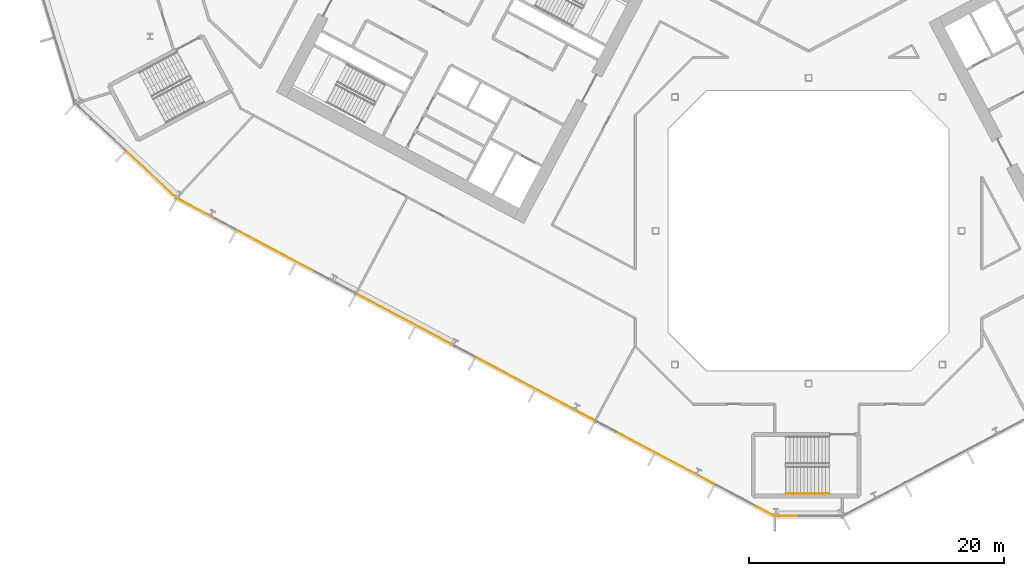
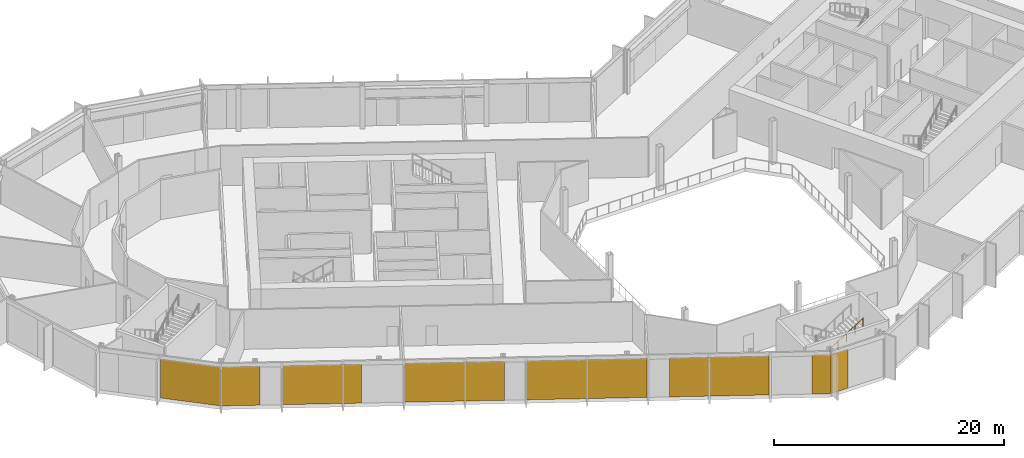
# One storey, part 20 of 30: 8 coverings, 1 railing, 3 elements without a shape of their own.
"""IFC4 building model written with IfcOpenShell, lengths in metres."""

from ifc_helpers import new_model, si_unit, direction, frame, origin, origin_2d, place, context, subcontext, project, spatial, polyline, rectangle, outline, extrude, material, layer, layer_set, type_object, element, aggregate, save


model = new_model("IFC4")

# Units and contexts
model_context = context("Model", 3, precision=1e-05, world=origin(), true_north=direction((0.0, 1.0)))
body_context = subcontext(model_context, "Body", "Model", "MODEL_VIEW")
ifc_project = project(units=[si_unit("LENGTHUNIT", "METRE"), si_unit("AREAUNIT", "SQUARE_METRE"), si_unit("VOLUMEUNIT", "CUBIC_METRE"), si_unit("PLANEANGLEUNIT", "RADIAN"), si_unit("MASSUNIT", "GRAM", prefix="KILO")], contexts=[model_context])

# Site, building, storey
site_placement = place(None, origin())
site = spatial("IfcSite", under=ifc_project, at=site_placement, CompositionType="ELEMENT")
building_placement = place(site_placement, origin())
building = spatial("IfcBuilding", under=site, at=building_placement, Name="Cormorant Relay Tower", CompositionType="ELEMENT")
storey_placement = place(building_placement, frame((0.0, 0.0, 89.199951171875)))
storey = spatial("IfcBuildingStorey", under=building, at=storey_placement, Name="L17", CompositionType="ELEMENT", Elevation=89.199951171875)

# Curtain wall, covering
ifc_material_1 = material(Name="Aluminium 6063-T6 anodised bronze", Category="aluminium")
ifc_layer_1 = layer(ifc_material_1, 0.199951171875)
ifc_layer_set_1 = layer_set([ifc_layer_1], Name="CW1 unitised bronze curtain wall with vertical fins")
curtain_wall_type = type_object("IfcCurtainWallType", Name="CW1 unitised bronze curtain wall with vertical fins", PredefinedType="NOTDEFINED", material=ifc_layer_set_1)
curtain_wall_1_placement = place(storey_placement, origin())
curtain_wall_1 = element("IfcCurtainWall", 1, at=curtain_wall_1_placement, inside=storey, type_object=curtain_wall_type, Name="CW1 curtain wall 1", PredefinedType="NOTDEFINED")
ifc_material_2 = material(Name="Pale bronze anodised aluminium insulated panel", Category="aluminium")
ifc_layer_2 = layer(ifc_material_2, 0.0400390625)
ifc_layer_set_2 = layer_set([ifc_layer_2], Name="CW1 pale bronze insulated panel 40")
covering_type = type_object("IfcCoveringType", Name="CW1 pale bronze insulated panel 40", PredefinedType="CLADDING", material=ifc_layer_set_2)
covering_1_placement = place(storey_placement, frame((-1.762451171875, -22.3955078125, 0.0), z_axis=(0.0, 0.0, 1.0), x_axis=(1.0, 0.0, 0.0)))
covering_1 = element("IfcCovering", 2, at=covering_1_placement, type_object=covering_type, Name="CW1 panel S00", PredefinedType="CLADDING", context=body_context, shape_type="SweptSolid", body=[
    extrude(rectangle(XDim=1.622802734375, YDim=0.0400390625, at=origin_2d()), origin(), (0.0, 0.0, 1.0), 4.14990234375),
])
aggregate(curtain_wall_1, [covering_1])

curtain_wall_2_placement = place(storey_placement, origin())
curtain_wall_2 = element("IfcCurtainWall", 3, at=curtain_wall_2_placement, inside=storey, type_object=curtain_wall_type, Name="CW1 curtain wall 13", PredefinedType="NOTDEFINED")
covering_2_placement = place(storey_placement, frame((-51.565185546875, 4.3974609375, 0.0), z_axis=(0.0, 0.0, 1.0), x_axis=(0.731353701619, -0.681998360062, 0.0)))
covering_2 = element("IfcCovering", 4, at=covering_2_placement, type_object=covering_type, Name="CW1 panel S02", PredefinedType="CLADDING", context=body_context, shape_type="SweptSolid", body=[
    extrude(rectangle(XDim=5.360107421875, YDim=0.0400390625, at=origin_2d()), origin(), (0.0, 0.0, 1.0), 4.14990234375),
])
aggregate(curtain_wall_2, [covering_2])

# Curtain wall, coverings
curtain_wall_3_placement = place(storey_placement, origin())
curtain_wall_3 = element("IfcCurtainWall", 5, at=curtain_wall_3_placement, inside=storey, type_object=curtain_wall_type, Name="CW1 curtain wall 14", PredefinedType="NOTDEFINED")
covering_3_placement = place(storey_placement, frame((-48.048583984375, 1.7412109375, 0.0), z_axis=(0.0, 0.0, 1.0), x_axis=(0.882947592859, -0.469471562786, 0.0)))
covering_3 = element("IfcCovering", 6, at=covering_3_placement, type_object=covering_type, Name="CW1 panel S00", PredefinedType="CLADDING", context=body_context, shape_type="SweptSolid", body=[
    extrude(rectangle(XDim=3.36669921875, YDim=0.0400390625, at=origin_2d()), origin(), (0.0, 0.0, 1.0), 4.14990234375),
])
covering_4_placement = place(storey_placement, frame((-41.8017578125, -1.580322265625, 0.0), z_axis=(0.0, 0.0, 1.0), x_axis=(0.882947592859, -0.469471562786, 0.0)))
covering_4 = element("IfcCovering", 7, at=covering_4_placement, type_object=covering_type, Name="CW1 panel S02", PredefinedType="CLADDING", context=body_context, shape_type="SweptSolid", body=[
    extrude(rectangle(XDim=6.88330078125, YDim=0.0400390625, at=origin_2d()), origin(), (0.0, 0.0, 1.0), 4.14990234375),
])
covering_5_placement = place(storey_placement, frame((-31.618408203125, -6.994873046875, 0.0), z_axis=(0.0, 0.0, 1.0), x_axis=(0.882947592859, -0.469471562786, 0.0)))
covering_5 = element("IfcCovering", 8, at=covering_5_placement, type_object=covering_type, Name="CW1 panel S04", PredefinedType="CLADDING", context=body_context, shape_type="SweptSolid", body=[
    extrude(rectangle(XDim=8.68310546875, YDim=0.0400390625, at=origin_2d()), origin(), (0.0, 0.0, 1.0), 4.14990234375),
])
covering_6_placement = place(storey_placement, frame((-21.435302734375, -12.4091796875, 0.0), z_axis=(0.0, 0.0, 1.0), x_axis=(0.882947592859, -0.469471562786, 0.0)))
covering_6 = element("IfcCovering", 9, at=covering_6_placement, type_object=covering_type, Name="CW1 panel S06", PredefinedType="CLADDING", context=body_context, shape_type="SweptSolid", body=[
    extrude(rectangle(XDim=10.483154296875, YDim=0.0400390625, at=origin_2d()), origin(), (0.0, 0.0, 1.0), 4.14990234375),
])
covering_7_placement = place(storey_placement, frame((-11.252197265625, -17.82373046875, 0.0), z_axis=(0.0, 0.0, 1.0), x_axis=(0.882947592859, -0.469471562786, 0.0)))
covering_7 = element("IfcCovering", 10, at=covering_7_placement, type_object=covering_type, Name="CW1 panel S08", PredefinedType="CLADDING", context=body_context, shape_type="SweptSolid", body=[
    extrude(rectangle(XDim=8.68310546875, YDim=0.0400390625, at=origin_2d()), origin(), (0.0, 0.0, 1.0), 4.14990234375),
])
covering_8_placement = place(storey_placement, frame((-3.383056640625, -22.0078125, 0.0), z_axis=(0.0, 0.0, 1.0), x_axis=(0.882947592859, -0.469471562786, 0.0)))
covering_8 = element("IfcCovering", 11, at=covering_8_placement, type_object=covering_type, Name="CW1 panel S10", PredefinedType="CLADDING", context=body_context, shape_type="SweptSolid", body=[
    extrude(rectangle(XDim=1.6416015625, YDim=0.0400390625, at=origin_2d()), origin(), (0.0, 0.0, 1.0), 4.14990234375),
])
aggregate(curtain_wall_3, [covering_3, covering_4, covering_5, covering_6, covering_7, covering_8])

# Railing
ifc_material_3 = material(Name="Steel ASTM A572 Grade 50 (Fy 345 MPa)", Category="steel")
railing_type = type_object("IfcRailingType", Name="Stair handrail 900", PredefinedType="HANDRAIL", material=ifc_material_3)
railing_placement = place(storey_placement, frame((-1.760009765625, -20.625, 2.47705078125)))
element("IfcRailing", 12, at=railing_placement, inside=storey, type_object=railing_type, Name="L17 RK1 stair handrail 2", PredefinedType="HANDRAIL", context=body_context, shape_type="SweptSolid", body=[
    extrude(outline(polyline([(0.022216796875, 0.00927734375), (0.00927734375, 0.022216796875), (-0.00927734375, 0.022216796875), (-0.022216796875, 0.00927734375), (-0.022216796875, -0.00927734375), (-0.00927734375, -0.022216796875), (0.00927734375, -0.022216796875), (0.022216796875, -0.00927734375), (0.022216796875, 0.00927734375)])), frame((0.0, 0.0, 0.8759765625), z_axis=(0.845389635667, 0.0, 0.534150132366), x_axis=(0.0, 1.0, 0.0)), (0.0, 0.0, 1.0), 3.974609375),
    extrude(outline(polyline([(0.019287109375, 0.008056640625), (0.008056640625, 0.019287109375), (-0.008056640625, 0.019287109375), (-0.019287109375, 0.008056640625), (-0.019287109375, -0.008056640625), (-0.008056640625, -0.019287109375), (0.008056640625, -0.019287109375), (0.019287109375, -0.008056640625), (0.019287109375, 0.008056640625)])), origin(), (0.0, 0.0, 1.0), 0.851806640625),
    extrude(outline(polyline([(0.019287109375, 0.008056640625), (0.008056640625, 0.019287109375), (-0.008056640625, 0.019287109375), (-0.019287109375, 0.008056640625), (-0.019287109375, -0.008056640625), (-0.008056640625, -0.019287109375), (0.008056640625, -0.019287109375), (0.019287109375, -0.008056640625), (0.019287109375, 0.008056640625)])), frame((0.840087890625, 0.0, 0.53076171875)), (0.0, 0.0, 1.0), 0.851806640625),
    extrude(outline(polyline([(0.019287109375, 0.008056640625), (0.008056640625, 0.019287109375), (-0.008056640625, 0.019287109375), (-0.019287109375, 0.008056640625), (-0.019287109375, -0.008056640625), (-0.008056640625, -0.019287109375), (0.008056640625, -0.019287109375), (0.019287109375, -0.008056640625), (0.019287109375, 0.008056640625)])), frame((1.68017578125, 0.0, 1.0615234375)), (0.0, 0.0, 1.0), 0.851806640625),
    extrude(outline(polyline([(0.019287109375, 0.008056640625), (0.008056640625, 0.019287109375), (-0.008056640625, 0.019287109375), (-0.019287109375, 0.008056640625), (-0.019287109375, -0.008056640625), (-0.008056640625, -0.019287109375), (0.008056640625, -0.019287109375), (0.019287109375, -0.008056640625), (0.019287109375, 0.008056640625)])), frame((2.52001953125, 0.0, 1.59228515625)), (0.0, 0.0, 1.0), 0.851806640625),
    extrude(outline(polyline([(0.019287109375, 0.008056640625), (0.008056640625, 0.019287109375), (-0.008056640625, 0.019287109375), (-0.019287109375, 0.008056640625), (-0.019287109375, -0.008056640625), (-0.008056640625, -0.019287109375), (0.008056640625, -0.019287109375), (0.019287109375, -0.008056640625), (0.019287109375, 0.008056640625)])), frame((3.360107421875, 0.0, 2.123046875)), (0.0, 0.0, 1.0), 0.851806640625),
])

save(model, "model.ifc")
